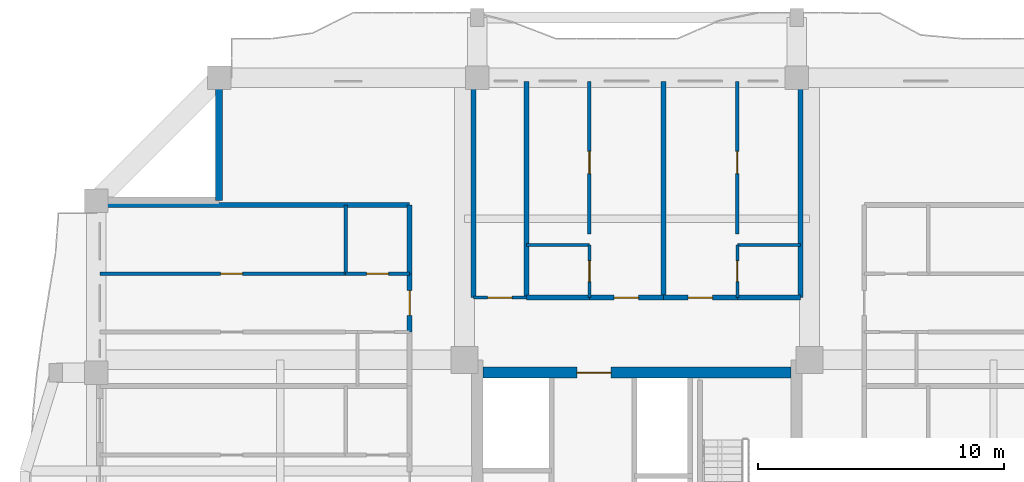
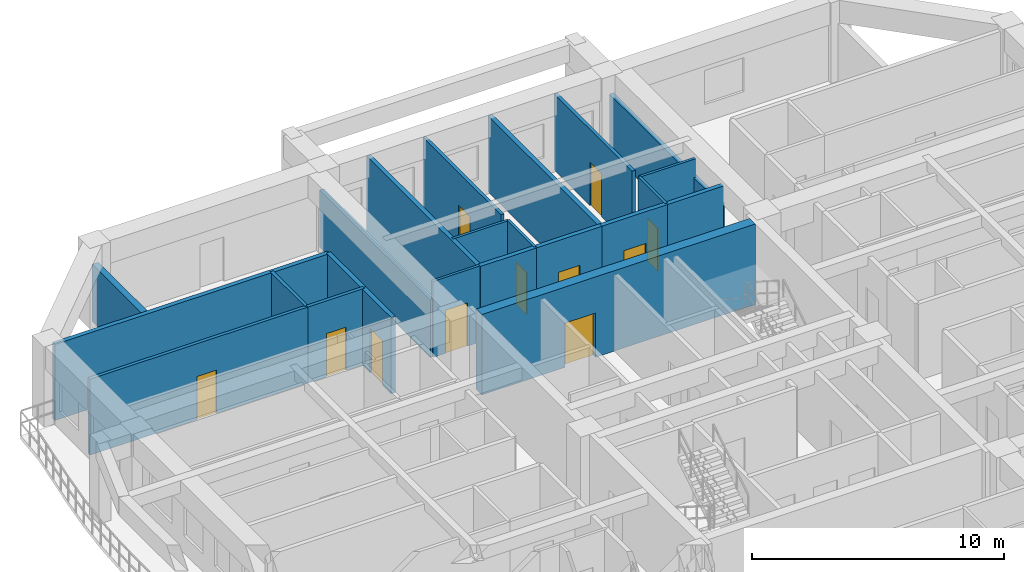
# One storey, part 7 of 15: 23 walls, 11 doors, 11 openings.
"""IFC4 building model written with IfcOpenShell, lengths in metres."""

from ifc_helpers import new_model, si_unit, direction, frame, frame_2d, origin, place, context, subcontext, project, spatial, rectangle, extrude, source, transform, mapped, material, layer, layer_set, type_object, element, fill, save


model = new_model("IFC4")

# Units and contexts
model_context = context("Model", 3, precision=1e-05, world=origin(), true_north=direction((0.0, 1.0)))
body_context = subcontext(model_context, "Body", "Model", "MODEL_VIEW")
ifc_project = project(units=[si_unit("LENGTHUNIT", "METRE"), si_unit("AREAUNIT", "SQUARE_METRE"), si_unit("VOLUMEUNIT", "CUBIC_METRE"), si_unit("PLANEANGLEUNIT", "RADIAN"), si_unit("MASSUNIT", "GRAM", prefix="KILO")], contexts=[model_context])

# Site, building, storey
site_placement = place(None, origin())
site = spatial("IfcSite", under=ifc_project, at=site_placement, CompositionType="ELEMENT")
building_placement = place(site_placement, origin())
building = spatial("IfcBuilding", under=site, at=building_placement, Name="Saelheon Loggia Tower", CompositionType="ELEMENT")
storey_placement = place(building_placement, frame((0.0, 0.0, 159.10009765625)))
storey = spatial("IfcBuildingStorey", under=building, at=storey_placement, Name="L50", CompositionType="ELEMENT", Elevation=159.10009765625)

# Wall, opening, door
ifc_material_1 = material(Name="Concrete C45/55", Category="concrete")
ifc_layer_1 = layer(ifc_material_1, 0.449951171875)
ifc_layer_set_1 = layer_set([ifc_layer_1], Name="Concrete C45/55")
wall_type_1 = type_object("IfcWallType", Name="Wall_CoreShear_450", PredefinedType="SHEAR", material=ifc_layer_set_1)
wall_1_placement = place(storey_placement, frame((31.72509765625, 36.0, 0.0), z_axis=(0.0, 0.0, 1.0), x_axis=(1.0, 0.0, 0.0)))
wall_1 = element("IfcWall", 1, at=wall_1_placement, inside=storey, type_object=wall_type_1, Name="L50 Core Shear Wall North", PredefinedType="SHEAR", context=body_context, shape_type="SweptSolid", body=[
    extrude(rectangle(XDim=12.5498046875, YDim=0.449951171875, at=frame_2d((6.27490234375, 0.0))), origin(), (0.0, 0.0, 1.0), 3.89990234375),
])
opening_1_placement = place(wall_1_placement, frame((5.224853515625, 0.0, 0.0), z_axis=(0.0, 0.0, 1.0), x_axis=(-1.0, 0.0, 0.0)))
opening_1 = element("IfcOpeningElement", 2, at=opening_1_placement, cuts=wall_1, Name="Opening D-FD2L", PredefinedType="OPENING", context=body_context, shape_type="SweptSolid", body=[
    extrude(rectangle(XDim=1.39990234375, YDim=2.14990234375, at=frame_2d((0.699951171875, 1.074951171875))), frame((0.0, 0.237060546875, 0.0), z_axis=(0.0, -1.0, 0.0), x_axis=(1.0, 0.0, 0.0)), (0.0, 0.0, 1.0), 0.473876953125),
])
ifc_material_2 = material(Name="Galvanised Steel Glazed Lobby Fire Door", Category="steel")
door_type_1 = type_object("IfcDoorType", Name="Door_Fire_FD60_1400", OperationType="NOTDEFINED", PredefinedType="DOOR", material=ifc_material_2)
shared_shape_1 = source(origin(), body_context, "Body", "SweptSolid", [
    extrude(rectangle(XDim=1.39990234375, YDim=2.14990234375, at=frame_2d((0.699951171875, 1.074951171875))), frame((0.0, 0.02490234375, 0.0), z_axis=(0.0, -1.0, 0.0), x_axis=(1.0, 0.0, 0.0)), (0.0, 0.0, 1.0), 0.050048828125),
])
door_1_placement = place(opening_1_placement, origin())
door_1 = element("IfcDoor", 3, at=door_1_placement, inside=storey, type_object=door_type_1, Name="L50 Passenger Lift Lobby Main Door", OperationType="SINGLE_SWING_RIGHT", OverallHeight=2.14990234375, OverallWidth=1.39990234375, PredefinedType="DOOR", context=body_context, shape_type="MappedRepresentation", body=[
    mapped(shared_shape_1, transform((0.0, 0.0, 0.0), scale=1.0)),
])
fill(opening_1, door_1)

# Wall
ifc_material_3 = material(Name="Architectural Precast Concrete C40/50", Category="concrete")
ifc_layer_2 = layer(ifc_material_3, 0.280029296875)
ifc_layer_set_2 = layer_set([ifc_layer_2], Name="Architectural Precast Concrete C40/50")
wall_type_2 = type_object("IfcWallType", Name="Wall_Ext_Loggia_280", PredefinedType="SOLIDWALL", material=ifc_layer_set_2)
wall_2_placement = place(storey_placement, frame((21.0, 43.0, 0.0), z_axis=(0.0, 0.0, 1.0), x_axis=(0.0, 1.0, 0.0)))
element("IfcWall", 4, at=wall_2_placement, inside=storey, type_object=wall_type_2, Name="L50 Corner Notch Precast Wall NW1", PredefinedType="SOLIDWALL", context=body_context, shape_type="SweptSolid", body=[
    extrude(rectangle(XDim=4.919921875, YDim=0.280029296875, at=frame_2d((2.4599609375, 0.0))), origin(), (0.0, 0.0, 1.0), 2.789794921875),
])

# Wall, opening, door
ifc_material_4 = material(Name="Lightweight Autoclaved Aerated Concrete Block and Acoustic Gypsum", Category="concrete")
ifc_layer_3 = layer(ifc_material_4, 0.14990234375)
ifc_layer_set_3 = layer_set([ifc_layer_3], Name="Lightweight Autoclaved Aerated Concrete Block and Acoustic Gypsum")
wall_type_3 = type_object("IfcWallType", Name="Wall_Part_150", PredefinedType="PARTITIONING", material=ifc_layer_set_3)
wall_3_placement = place(storey_placement, frame((36.064453125, 41.64990234375, 0.0), z_axis=(0.0, 0.0, 1.0), x_axis=(0.0, 1.0, 0.0)))
wall_3 = element("IfcWall", 5, at=wall_3_placement, inside=storey, type_object=wall_type_3, Name="L50 N Partition U09", PredefinedType="PARTITIONING", context=body_context, shape_type="SweptSolid", body=[
    extrude(rectangle(XDim=6.2001953125, YDim=0.14990234375, at=frame_2d((3.10009765625, 0.0))), origin(), (0.0, 0.0, 1.0), 3.68994140625),
])
opening_2_placement = place(wall_3_placement, frame((2.44921875, 0.0, 0.0)))
opening_2 = element("IfcOpeningElement", 6, at=opening_2_placement, cuts=wall_3, Name="Opening D-IN2", PredefinedType="OPENING", context=body_context, shape_type="SweptSolid", body=[
    extrude(rectangle(XDim=0.89990234375, YDim=2.10009765625, at=frame_2d((0.449951171875, 1.050048828125))), frame((0.0, 0.0869140625, 0.0), z_axis=(0.0, -1.0, 0.0), x_axis=(1.0, 0.0, 0.0)), (0.0, 0.0, 1.0), 0.173828125),
])
ifc_material_5 = material(Name="Engineered Oak Flush Door", Category="timber")
door_type_2 = type_object("IfcDoorType", Name="Door_Int_900", OperationType="NOTDEFINED", PredefinedType="DOOR", material=ifc_material_5)
shared_shape_2 = source(origin(), body_context, "Body", "SweptSolid", [
    extrude(rectangle(XDim=0.89990234375, YDim=2.10009765625, at=frame_2d((0.449951171875, 1.050048828125))), frame((0.0, 0.02490234375, 0.0), z_axis=(0.0, -1.0, 0.0), x_axis=(1.0, 0.0, 0.0)), (0.0, 0.0, 1.0), 0.050048828125),
])
door_2_placement = place(opening_2_placement, origin())
door_2 = element("IfcDoor", 7, at=door_2_placement, inside=storey, type_object=door_type_2, Name="Unit U03 Kitchen Door", OperationType="SINGLE_SWING_RIGHT", OverallHeight=2.10009765625, OverallWidth=0.89990234375, PredefinedType="DOOR", context=body_context, shape_type="MappedRepresentation", body=[
    mapped(shared_shape_2, transform((0.0, 0.0, 0.0), scale=1.0)),
])
fill(opening_2, door_2)

wall_4_placement = place(storey_placement, frame((42.08544921875, 41.64990234375, 0.0), z_axis=(0.0, 0.0, 1.0), x_axis=(0.0, 1.0, 0.0)))
wall_4 = element("IfcWall", 8, at=wall_4_placement, inside=storey, type_object=wall_type_3, Name="L50 N Partition U15", PredefinedType="PARTITIONING", context=body_context, shape_type="SweptSolid", body=[
    extrude(rectangle(XDim=6.2001953125, YDim=0.14990234375, at=frame_2d((3.10009765625, 0.0))), origin(), (0.0, 0.0, 1.0), 3.68994140625),
])
opening_3_placement = place(wall_4_placement, frame((2.44921875, 0.0, 0.0)))
opening_3 = element("IfcOpeningElement", 9, at=opening_3_placement, cuts=wall_4, Name="Opening D-IN2", PredefinedType="OPENING", context=body_context, shape_type="SweptSolid", body=[
    extrude(rectangle(XDim=0.89990234375, YDim=2.10009765625, at=frame_2d((0.449951171875, 1.050048828125))), frame((0.0, 0.0869140625, 0.0), z_axis=(0.0, -1.0, 0.0), x_axis=(1.0, 0.0, 0.0)), (0.0, 0.0, 1.0), 0.173828125),
])
door_3_placement = place(opening_3_placement, origin())
door_3 = element("IfcDoor", 10, at=door_3_placement, inside=storey, type_object=door_type_2, Name="Unit U04 Kitchen Door", OperationType="SINGLE_SWING_LEFT", OverallHeight=2.10009765625, OverallWidth=0.89990234375, PredefinedType="DOOR", context=body_context, shape_type="MappedRepresentation", body=[
    mapped(shared_shape_2, transform((0.0, 0.0, 0.0), scale=1.0)),
])
fill(opening_3, door_3)

# Wall
wall_5_placement = place(storey_placement, frame((26.14990234375, 40.019287109375, 0.0), z_axis=(0.0, 0.0, 1.0), x_axis=(0.0, 1.0, 0.0)))
element("IfcWall", 11, at=wall_5_placement, inside=storey, type_object=wall_type_3, Name="L50 WN Partition V18", PredefinedType="PARTITIONING", context=body_context, shape_type="SweptSolid", body=[
    extrude(rectangle(XDim=2.80078125, YDim=0.14990234375, at=frame_2d((1.400390625, 0.0))), origin(), (0.0, 0.0, 1.0), 3.68994140625),
])

# Wall, opening, door
wall_6_placement = place(storey_placement, frame((28.75, 40.019287109375, 0.0), z_axis=(0.0, 0.0, 1.0), x_axis=(-1.0, 0.0, 0.0)))
wall_6 = element("IfcWall", 12, at=wall_6_placement, inside=storey, type_object=wall_type_3, Name="L50 WN Partition U22", PredefinedType="PARTITIONING", context=body_context, shape_type="SweptSolid", body=[
    extrude(rectangle(XDim=2.60009765625, YDim=0.14990234375, at=frame_2d((1.300048828125, 0.0))), origin(), (0.0, 0.0, 1.0), 3.68994140625),
])
opening_4_placement = place(wall_6_placement, frame((0.85009765625, 0.0, 0.0)))
opening_4 = element("IfcOpeningElement", 13, at=opening_4_placement, cuts=wall_6, Name="Opening D-IN2", PredefinedType="OPENING", context=body_context, shape_type="SweptSolid", body=[
    extrude(rectangle(XDim=0.89990234375, YDim=2.10009765625, at=frame_2d((0.449951171875, 1.050048828125))), frame((0.0, 0.0869140625, 0.0), z_axis=(0.0, -1.0, 0.0), x_axis=(1.0, 0.0, 0.0)), (0.0, 0.0, 1.0), 0.173828125),
])
door_4_placement = place(opening_4_placement, origin())
door_4 = element("IfcDoor", 14, at=door_4_placement, inside=storey, type_object=door_type_2, Name="Unit U08 Dressing Closet Door", OperationType="SINGLE_SWING_RIGHT", OverallHeight=2.10009765625, OverallWidth=0.89990234375, PredefinedType="DOOR", context=body_context, shape_type="MappedRepresentation", body=[
    mapped(shared_shape_2, transform((0.0, 0.0, 0.0), scale=1.0)),
])
fill(opening_4, door_4)

wall_7_placement = place(storey_placement, frame((26.14990234375, 40.019287109375, 0.0), z_axis=(0.0, 0.0, 1.0), x_axis=(-1.0, 0.0, 0.0)))
wall_7 = element("IfcWall", 15, at=wall_7_placement, inside=storey, type_object=wall_type_3, Name="L50 WN Partition U23", PredefinedType="PARTITIONING", context=body_context, shape_type="SweptSolid", body=[
    extrude(rectangle(XDim=10.0, YDim=0.14990234375, at=frame_2d((5.0, 0.0))), origin(), (0.0, 0.0, 1.0), 3.68994140625),
])
opening_5_placement = place(wall_7_placement, frame((4.19091796875, 0.0, 0.0)))
opening_5 = element("IfcOpeningElement", 16, at=opening_5_placement, cuts=wall_7, Name="Opening D-IN2", PredefinedType="OPENING", context=body_context, shape_type="SweptSolid", body=[
    extrude(rectangle(XDim=0.89990234375, YDim=2.10009765625, at=frame_2d((0.449951171875, 1.050048828125))), frame((0.0, 0.0869140625, 0.0), z_axis=(0.0, -1.0, 0.0), x_axis=(1.0, 0.0, 0.0)), (0.0, 0.0, 1.0), 0.173828125),
])
door_5_placement = place(opening_5_placement, origin())
door_5 = element("IfcDoor", 17, at=door_5_placement, inside=storey, type_object=door_type_2, Name="Unit U08 Bedroom 1 Door", OperationType="SINGLE_SWING_LEFT", OverallHeight=2.10009765625, OverallWidth=0.89990234375, PredefinedType="DOOR", context=body_context, shape_type="MappedRepresentation", body=[
    mapped(shared_shape_2, transform((0.0, 0.0, 0.0), scale=1.0)),
])
fill(opening_5, door_5)

# Walls
ifc_material_6 = material(Name="Double Acoustic Stud and Fireboard Partition", Category="gypsum")
ifc_layer_4 = layer(ifc_material_6, 0.199951171875)
ifc_layer_set_4 = layer_set([ifc_layer_4], Name="Double Acoustic Stud and Fireboard Partition")
wall_type_4 = type_object("IfcWallType", Name="Wall_Party_200", PredefinedType="PARTITIONING", material=ifc_layer_set_4)
for number, where, z_axis, x_axis, name in (
    (18, (31.35009765625, 39.050048828125, 0.0), (0.0, 0.0, 1.0), (0.0, 1.0, 0.0), "L50 N Partition U01"),
    (19, (44.64990234375, 39.050048828125, 0.0), (0.0, 0.0, 1.0), (0.0, 1.0, 0.0), "L50 N Partition U02"),
):
    element("IfcWall", number, at=place(storey_placement, frame(where, z_axis=z_axis, x_axis=x_axis)), inside=storey, type_object=wall_type_4, Name=name, PredefinedType="PARTITIONING", context=body_context, shape_type="SweptSolid", body=[
        extrude(rectangle(XDim=8.800048828125, YDim=0.199951171875, at=frame_2d((4.39990234375, 0.0))), origin(), (0.0, 0.0, 1.0), 2.789794921875),
    ])
wall_8_placement = place(storey_placement, frame((33.5, 39.050048828125, 0.0), z_axis=(0.0, 0.0, 1.0), x_axis=(0.0, 1.0, 0.0)))
element("IfcWall", 20, at=wall_8_placement, inside=storey, type_object=wall_type_4, Name="L50 N Partition U03", PredefinedType="PARTITIONING", context=body_context, shape_type="SweptSolid", body=[
    extrude(rectangle(XDim=8.800048828125, YDim=0.199951171875, at=frame_2d((4.39990234375, 0.0))), origin(), (0.0, 0.0, 1.0), 3.68994140625),
])
wall_9_placement = place(storey_placement, frame((33.5, 39.050048828125, 0.0), z_axis=(0.0, 0.0, 1.0), x_axis=(1.0, 0.0, 0.0)))
element("IfcWall", 21, at=wall_9_placement, inside=storey, type_object=wall_type_4, Name="L50 N Partition V05", PredefinedType="PARTITIONING", context=body_context, shape_type="SweptSolid", body=[
    extrude(rectangle(XDim=2.564453125, YDim=0.199951171875, at=frame_2d((1.2822265625, 0.0))), origin(), (0.0, 0.0, 1.0), 3.68994140625),
])

# Wall, opening, door
wall_10_placement = place(storey_placement, frame((36.064453125, 39.050048828125, 0.0), z_axis=(0.0, 0.0, 1.0), x_axis=(1.0, 0.0, 0.0)))
wall_10 = element("IfcWall", 22, at=wall_10_placement, inside=storey, type_object=wall_type_4, Name="L50 N Partition V06", PredefinedType="PARTITIONING", context=body_context, shape_type="SweptSolid", body=[
    extrude(rectangle(XDim=3.010498046875, YDim=0.199951171875, at=frame_2d((1.50537109375, 0.0))), origin(), (0.0, 0.0, 1.0), 3.68994140625),
])
opening_6_placement = place(wall_10_placement, frame((1.00537109375, 0.0, 0.0)))
opening_6 = element("IfcOpeningElement", 23, at=opening_6_placement, cuts=wall_10, Name="Opening D-FD1", PredefinedType="OPENING", context=body_context, shape_type="SweptSolid", body=[
    extrude(rectangle(XDim=1.0, YDim=2.14990234375, at=frame_2d((0.5, 1.074951171875))), frame((0.0, 0.112060546875, 0.0), z_axis=(0.0, -1.0, 0.0), x_axis=(1.0, 0.0, 0.0)), (0.0, 0.0, 1.0), 0.223876953125),
])
ifc_material_7 = material(Name="Fire-Rated Engineered Timber Entrance Door", Category="wood")
door_type_3 = type_object("IfcDoorType", Name="Door_Flat_FD30S", OperationType="NOTDEFINED", PredefinedType="DOOR", material=ifc_material_7)
shared_shape_3 = source(origin(), body_context, "Body", "SweptSolid", [
    extrude(rectangle(XDim=1.0, YDim=2.14990234375, at=frame_2d((0.5, 1.074951171875))), frame((0.0, 0.02490234375, 0.0), z_axis=(0.0, -1.0, 0.0), x_axis=(1.0, 0.0, 0.0)), (0.0, 0.0, 1.0), 0.050048828125),
])
door_6_placement = place(opening_6_placement, origin())
door_6 = element("IfcDoor", 24, at=door_6_placement, inside=storey, type_object=door_type_3, Name="Unit U03 Entrance Door", OperationType="SINGLE_SWING_RIGHT", OverallHeight=2.14990234375, OverallWidth=1.0, PredefinedType="DOOR", context=body_context, shape_type="MappedRepresentation", body=[
    mapped(shared_shape_3, transform((0.0, 0.0, 0.0), scale=1.0)),
])
fill(opening_6, door_6)

# Wall
wall_11_placement = place(storey_placement, frame((39.074951171875, 39.050048828125, 0.0), z_axis=(0.0, 0.0, 1.0), x_axis=(0.0, 1.0, 0.0)))
element("IfcWall", 25, at=wall_11_placement, inside=storey, type_object=wall_type_4, Name="L50 N Partition U10", PredefinedType="PARTITIONING", context=body_context, shape_type="SweptSolid", body=[
    extrude(rectangle(XDim=8.800048828125, YDim=0.199951171875, at=frame_2d((4.39990234375, 0.0))), origin(), (0.0, 0.0, 1.0), 3.68994140625),
])

# Wall, opening, door
wall_12_placement = place(storey_placement, frame((39.074951171875, 39.050048828125, 0.0), z_axis=(0.0, 0.0, 1.0), x_axis=(1.0, 0.0, 0.0)))
wall_12 = element("IfcWall", 26, at=wall_12_placement, inside=storey, type_object=wall_type_4, Name="L50 N Partition V11", PredefinedType="PARTITIONING", context=body_context, shape_type="SweptSolid", body=[
    extrude(rectangle(XDim=3.010498046875, YDim=0.199951171875, at=frame_2d((1.50537109375, 0.0))), origin(), (0.0, 0.0, 1.0), 3.68994140625),
])
opening_7_placement = place(wall_12_placement, frame((1.00537109375, 0.0, 0.0)))
opening_7 = element("IfcOpeningElement", 27, at=opening_7_placement, cuts=wall_12, Name="Opening D-FD1", PredefinedType="OPENING", context=body_context, shape_type="SweptSolid", body=[
    extrude(rectangle(XDim=1.0, YDim=2.14990234375, at=frame_2d((0.5, 1.074951171875))), frame((0.0, 0.112060546875, 0.0), z_axis=(0.0, -1.0, 0.0), x_axis=(1.0, 0.0, 0.0)), (0.0, 0.0, 1.0), 0.223876953125),
])
door_7_placement = place(opening_7_placement, origin())
door_7 = element("IfcDoor", 28, at=door_7_placement, inside=storey, type_object=door_type_3, Name="Unit U04 Entrance Door", OperationType="SINGLE_SWING_LEFT", OverallHeight=2.14990234375, OverallWidth=1.0, PredefinedType="DOOR", context=body_context, shape_type="MappedRepresentation", body=[
    mapped(shared_shape_3, transform((0.0, 0.0, 0.0), scale=1.0)),
])
fill(opening_7, door_7)

# Walls
wall_13_placement = place(storey_placement, frame((42.08544921875, 39.050048828125, 0.0), z_axis=(0.0, 0.0, 1.0), x_axis=(1.0, 0.0, 0.0)))
element("IfcWall", 29, at=wall_13_placement, inside=storey, type_object=wall_type_4, Name="L50 N Partition V12", PredefinedType="PARTITIONING", context=body_context, shape_type="SweptSolid", body=[
    extrude(rectangle(XDim=2.564453125, YDim=0.199951171875, at=frame_2d((1.2822265625, 0.0))), origin(), (0.0, 0.0, 1.0), 3.68994140625),
])
wall_14_placement = place(storey_placement, frame((28.75, 42.820068359375, 0.0), z_axis=(0.0, 0.0, 1.0), x_axis=(-1.0, 0.0, 0.0)))
element("IfcWall", 30, at=wall_14_placement, inside=storey, type_object=wall_type_4, Name="L50 WN Partition U02", PredefinedType="PARTITIONING", context=body_context, shape_type="SweptSolid", body=[
    extrude(rectangle(XDim=12.60009765625, YDim=0.199951171875, at=frame_2d((6.300048828125, 0.0))), origin(), (0.0, 0.0, 1.0), 3.68994140625),
])

# Wall, opening, door
wall_15_placement = place(storey_placement, frame((28.75, 37.64990234375, 0.0), z_axis=(0.0, 0.0, 1.0), x_axis=(0.0, 1.0, 0.0)))
wall_15 = element("IfcWall", 31, at=wall_15_placement, inside=storey, type_object=wall_type_4, Name="L50 WN Partition V15", PredefinedType="PARTITIONING", context=body_context, shape_type="SweptSolid", body=[
    extrude(rectangle(XDim=2.369384765625, YDim=0.199951171875, at=frame_2d((1.1845703125, 0.0))), origin(), (0.0, 0.0, 1.0), 3.68994140625),
])
opening_8_placement = place(wall_15_placement, frame((0.684814453125, 0.0, 0.0)))
opening_8 = element("IfcOpeningElement", 32, at=opening_8_placement, cuts=wall_15, Name="Opening D-FD1", PredefinedType="OPENING", context=body_context, shape_type="SweptSolid", body=[
    extrude(rectangle(XDim=1.0, YDim=2.14990234375, at=frame_2d((0.5, 1.074951171875))), frame((0.0, 0.112060546875, 0.0), z_axis=(0.0, -1.0, 0.0), x_axis=(1.0, 0.0, 0.0)), (0.0, 0.0, 1.0), 0.223876953125),
])
door_8_placement = place(opening_8_placement, origin())
door_8 = element("IfcDoor", 33, at=door_8_placement, inside=storey, type_object=door_type_3, Name="Unit U08 Entrance Door", OperationType="SINGLE_SWING_LEFT", OverallHeight=2.14990234375, OverallWidth=1.0, PredefinedType="DOOR", context=body_context, shape_type="MappedRepresentation", body=[
    mapped(shared_shape_3, transform((0.0, 0.0, 0.0), scale=1.0)),
])
fill(opening_8, door_8)

# Wall
wall_16_placement = place(storey_placement, frame((28.75, 40.019287109375, 0.0), z_axis=(0.0, 0.0, 1.0), x_axis=(0.0, 1.0, 0.0)))
element("IfcWall", 34, at=wall_16_placement, inside=storey, type_object=wall_type_4, Name="L50 WN Partition V16", PredefinedType="PARTITIONING", context=body_context, shape_type="SweptSolid", body=[
    extrude(rectangle(XDim=2.80078125, YDim=0.199951171875, at=frame_2d((1.400390625, 0.0))), origin(), (0.0, 0.0, 1.0), 3.68994140625),
])

# Wall, opening, door
ifc_material_8 = material(Name="Moisture-Resistant Cement Board Partition", Category="gypsum")
ifc_layer_5 = layer(ifc_material_8, 0.1201171875)
ifc_layer_set_5 = layer_set([ifc_layer_5], Name="Moisture-Resistant Cement Board Partition")
wall_type_5 = type_object("IfcWallType", Name="Wall_WetPart_120", PredefinedType="PARTITIONING", material=ifc_layer_set_5)
wall_17_placement = place(storey_placement, frame((31.35009765625, 39.050048828125, 0.0), z_axis=(0.0, 0.0, 1.0), x_axis=(1.0, 0.0, 0.0)))
wall_17 = element("IfcWall", 35, at=wall_17_placement, inside=storey, type_object=wall_type_5, Name="L50 N Partition V04", PredefinedType="PARTITIONING", context=body_context, shape_type="SweptSolid", body=[
    extrude(rectangle(XDim=2.14990234375, YDim=0.1201171875, at=frame_2d((1.074951171875, 0.0))), origin(), (0.0, 0.0, 1.0), 3.68994140625),
])
opening_9_placement = place(wall_17_placement, frame((0.574951171875, 0.0, 0.0)))
opening_9 = element("IfcOpeningElement", 36, at=opening_9_placement, cuts=wall_17, Name="Opening D-AC1", PredefinedType="OPENING", context=body_context, shape_type="SweptSolid", body=[
    extrude(rectangle(XDim=1.0, YDim=2.10009765625, at=frame_2d((0.5, 1.050048828125))), frame((0.0, 0.072021484375, 0.0), z_axis=(0.0, -1.0, 0.0), x_axis=(1.0, 0.0, 0.0)), (0.0, 0.0, 1.0), 0.14404296875),
])
ifc_material_9 = material(Name="Accessible Laminate Flush Door", Category="timber")
door_type_4 = type_object("IfcDoorType", Name="Door_Acc_1000", OperationType="NOTDEFINED", PredefinedType="DOOR", material=ifc_material_9)
shared_shape_4 = source(origin(), body_context, "Body", "SweptSolid", [
    extrude(rectangle(XDim=1.0, YDim=2.10009765625, at=frame_2d((0.5, 1.050048828125))), frame((0.0, 0.02490234375, 0.0), z_axis=(0.0, -1.0, 0.0), x_axis=(1.0, 0.0, 0.0)), (0.0, 0.0, 1.0), 0.050048828125),
])
door_9_placement = place(opening_9_placement, origin())
door_9 = element("IfcDoor", 37, at=door_9_placement, inside=storey, type_object=door_type_4, Name="L50 Floor Accessible WC Door", OperationType="SINGLE_SWING_LEFT", OverallHeight=2.10009765625, OverallWidth=1.0, PredefinedType="DOOR", context=body_context, shape_type="MappedRepresentation", body=[
    mapped(shared_shape_4, transform((0.0, 0.0, 0.0), scale=1.0)),
])
fill(opening_9, door_9)

wall_18_placement = place(storey_placement, frame((36.064453125, 39.050048828125, 0.0), z_axis=(0.0, 0.0, 1.0), x_axis=(0.0, 1.0, 0.0)))
wall_18 = element("IfcWall", 38, at=wall_18_placement, inside=storey, type_object=wall_type_5, Name="L50 N Partition U07", PredefinedType="PARTITIONING", context=body_context, shape_type="SweptSolid", body=[
    extrude(rectangle(XDim=2.14990234375, YDim=0.1201171875, at=frame_2d((1.074951171875, 0.0))), origin(), (0.0, 0.0, 1.0), 3.68994140625),
])
opening_10_placement = place(wall_18_placement, frame((0.64990234375, 0.0, 0.0)))
opening_10 = element("IfcOpeningElement", 39, at=opening_10_placement, cuts=wall_18, Name="Opening D-BT1", PredefinedType="OPENING", context=body_context, shape_type="SweptSolid", body=[
    extrude(rectangle(XDim=0.85009765625, YDim=2.050048828125, at=frame_2d((0.425048828125, 1.02490234375))), frame((0.0, 0.072021484375, 0.0), z_axis=(0.0, -1.0, 0.0), x_axis=(1.0, 0.0, 0.0)), (0.0, 0.0, 1.0), 0.14404296875),
])
ifc_material_10 = material(Name="Moisture-Resistant Laminate Timber Door", Category="wood")
door_type_5 = type_object("IfcDoorType", Name="Door_Bath_850", OperationType="NOTDEFINED", PredefinedType="DOOR", material=ifc_material_10)
shared_shape_5 = source(origin(), body_context, "Body", "SweptSolid", [
    extrude(rectangle(XDim=0.85009765625, YDim=2.050048828125, at=frame_2d((0.425048828125, 1.02490234375))), frame((0.0, 0.02490234375, 0.0), z_axis=(0.0, -1.0, 0.0), x_axis=(1.0, 0.0, 0.0)), (0.0, 0.0, 1.0), 0.050048828125),
])
door_10_placement = place(opening_10_placement, origin())
door_10 = element("IfcDoor", 40, at=door_10_placement, inside=storey, type_object=door_type_5, Name="Unit U03 Bathroom Door", OperationType="SINGLE_SWING_LEFT", OverallHeight=2.050048828125, OverallWidth=0.85009765625, PredefinedType="DOOR", context=body_context, shape_type="MappedRepresentation", body=[
    mapped(shared_shape_5, transform((0.0, 0.0, 0.0), scale=1.0)),
])
fill(opening_10, door_10)

# Wall
wall_19_placement = place(storey_placement, frame((33.5, 41.199951171875, 0.0), z_axis=(0.0, 0.0, 1.0), x_axis=(1.0, 0.0, 0.0)))
element("IfcWall", 41, at=wall_19_placement, inside=storey, type_object=wall_type_5, Name="L50 N Partition V08", PredefinedType="PARTITIONING", context=body_context, shape_type="SweptSolid", body=[
    extrude(rectangle(XDim=2.564453125, YDim=0.1201171875, at=frame_2d((1.2822265625, 0.0))), origin(), (0.0, 0.0, 1.0), 3.68994140625),
])

# Wall, opening, door
wall_20_placement = place(storey_placement, frame((42.08544921875, 39.050048828125, 0.0), z_axis=(0.0, 0.0, 1.0), x_axis=(0.0, 1.0, 0.0)))
wall_20 = element("IfcWall", 42, at=wall_20_placement, inside=storey, type_object=wall_type_5, Name="L50 N Partition U13", PredefinedType="PARTITIONING", context=body_context, shape_type="SweptSolid", body=[
    extrude(rectangle(XDim=2.14990234375, YDim=0.1201171875, at=frame_2d((1.074951171875, 0.0))), origin(), (0.0, 0.0, 1.0), 3.68994140625),
])
opening_11_placement = place(wall_20_placement, frame((0.64990234375, 0.0, 0.0)))
opening_11 = element("IfcOpeningElement", 43, at=opening_11_placement, cuts=wall_20, Name="Opening D-BT1", PredefinedType="OPENING", context=body_context, shape_type="SweptSolid", body=[
    extrude(rectangle(XDim=0.85009765625, YDim=2.050048828125, at=frame_2d((0.425048828125, 1.02490234375))), frame((0.0, 0.072021484375, 0.0), z_axis=(0.0, -1.0, 0.0), x_axis=(1.0, 0.0, 0.0)), (0.0, 0.0, 1.0), 0.14404296875),
])
door_11_placement = place(opening_11_placement, origin())
door_11 = element("IfcDoor", 44, at=door_11_placement, inside=storey, type_object=door_type_5, Name="Unit U04 Bathroom Door", OperationType="SINGLE_SWING_RIGHT", OverallHeight=2.050048828125, OverallWidth=0.85009765625, PredefinedType="DOOR", context=body_context, shape_type="MappedRepresentation", body=[
    mapped(shared_shape_5, transform((0.0, 0.0, 0.0), scale=1.0)),
])
fill(opening_11, door_11)

# Wall
wall_21_placement = place(storey_placement, frame((42.08544921875, 41.199951171875, 0.0), z_axis=(0.0, 0.0, 1.0), x_axis=(1.0, 0.0, 0.0)))
element("IfcWall", 45, at=wall_21_placement, inside=storey, type_object=wall_type_5, Name="L50 N Partition V14", PredefinedType="PARTITIONING", context=body_context, shape_type="SweptSolid", body=[
    extrude(rectangle(XDim=2.564453125, YDim=0.1201171875, at=frame_2d((1.2822265625, 0.0))), origin(), (0.0, 0.0, 1.0), 3.68994140625),
])

save(model, "model.ifc")
